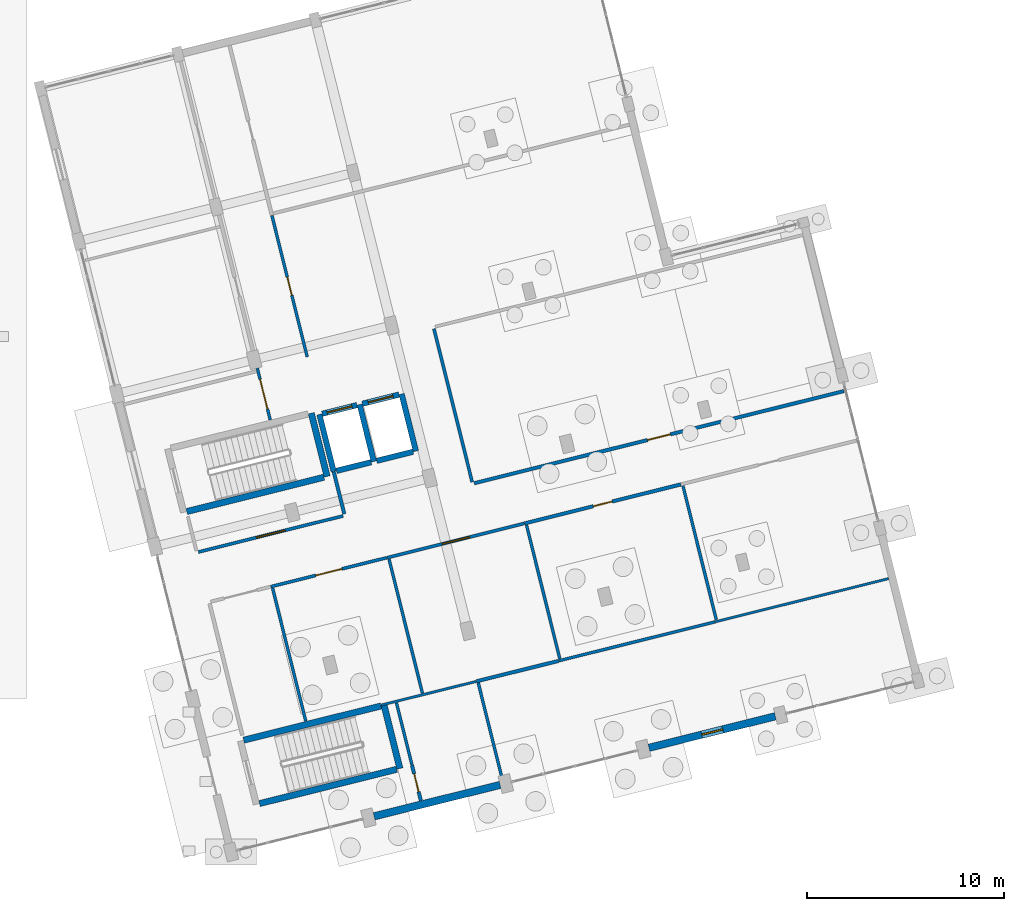
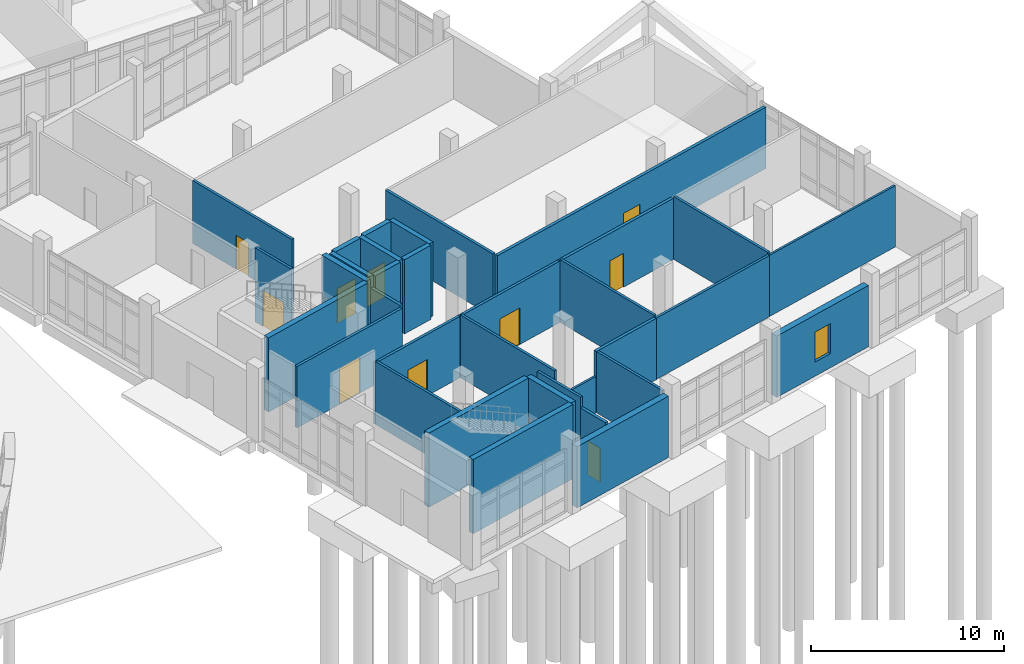
# One storey, part 158 of 173: 34 walls, 10 doors, 1 window, 11 openings.
"""IFC4 building model written with IfcOpenShell, lengths in metres."""

from ifc_helpers import new_model, si_unit, direction, frame, frame_2d, origin, place, context, subcontext, project, spatial, rectangle, extrude, material, layer, layer_set, type_object, element, fill, save


model = new_model("IFC4")

# Units and contexts
model_context = context("Model", 3, precision=1e-05, world=origin(), true_north=direction((0.0, 1.0)))
body_context = subcontext(model_context, "Body", "Model", "MODEL_VIEW")
ifc_project = project(units=[si_unit("LENGTHUNIT", "METRE"), si_unit("AREAUNIT", "SQUARE_METRE"), si_unit("VOLUMEUNIT", "CUBIC_METRE"), si_unit("PLANEANGLEUNIT", "RADIAN"), si_unit("MASSUNIT", "GRAM", prefix="KILO")], contexts=[model_context])

# Site, building, storey
site_placement = place(None, origin())
site = spatial("IfcSite", under=ifc_project, at=site_placement, CompositionType="ELEMENT")
building_placement = place(site_placement, origin())
building = spatial("IfcBuilding", under=site, at=building_placement, Name="Mawjan Specialist Oncology Clinic", CompositionType="ELEMENT")
storey_placement = place(building_placement, origin())
storey = spatial("IfcBuildingStorey", under=building, at=storey_placement, Name="L00", CompositionType="ELEMENT", Elevation=0.0)

# Wall, opening, window
ifc_material_1 = material(Name="Precast concrete C40/50", Category="concrete")
ifc_layer_1 = layer(ifc_material_1, 0.3798828125, Name="Precast concrete C40/50", Category="concrete")
ifc_layer_set_1 = layer_set([ifc_layer_1], Name="Precast concrete C40/50")
wall_type_1 = type_object("IfcWallType", Name="EW-380", PredefinedType="SOLIDWALL", material=ifc_layer_set_1)
wall_1_placement = place(storey_placement, frame((153.677734375, 7.700927734375, 0.0), z_axis=(0.0, 0.0, 1.0), x_axis=(-0.970294050816, -0.241928615405, 0.0)))
wall_1 = element("IfcWall", 1, at=wall_1_placement, inside=storey, type_object=wall_type_1, Name="L00 Coral-Limestone Exterior Wall EW-L00-066", PredefinedType="SOLIDWALL", context=body_context, shape_type="SweptSolid", body=[
    extrude(rectangle(XDim=6.625, YDim=0.3798828125, at=frame_2d((3.3125, 0.0))), origin(), (0.0, 0.0, 1.0), 3.885009765625),
])
opening_1_placement = place(wall_1_placement, frame((2.762451171875, 0.0, 0.89990234375)))
opening_1 = element("IfcOpeningElement", 2, at=opening_1_placement, cuts=wall_1, Name="Opening WN-08", PredefinedType="OPENING", context=body_context, shape_type="SweptSolid", body=[
    extrude(rectangle(XDim=1.10009765625, YDim=1.89990234375, at=frame_2d((0.550048828125, 0.949951171875))), frame((0.0, 0.201904296875, 0.0), z_axis=(0.0, -1.0, 0.0), x_axis=(1.0, 0.0, 0.0)), (0.0, 0.0, 1.0), 0.40380859375),
])
ifc_material_2 = material(Name="Thermally broken low-E clinical aluminium window", Category="aluminium")
window_type = type_object("IfcWindowType", Name="WN-08", PartitioningType="SINGLE_PANEL", PredefinedType="WINDOW", material=ifc_material_2)
window_placement = place(opening_1_placement, origin())
window = element("IfcWindow", 3, at=window_placement, inside=storey, type_object=window_type, Name="L00 Clinical Low-E Window 008", OverallHeight=1.89990234375, OverallWidth=1.10009765625, PartitioningType="SINGLE_PANEL", PredefinedType="WINDOW", context=body_context, shape_type="SweptSolid", body=[
    extrude(rectangle(XDim=1.10009765625, YDim=1.89990234375, at=frame_2d((0.550048828125, 0.949951171875))), frame((0.0, 0.030029296875, 0.0), z_axis=(0.0, -1.0, 0.0), x_axis=(1.0, 0.0, 0.0)), (0.0, 0.0, 1.0), 0.06005859375),
])
fill(opening_1, window)

# Walls
wall_2_placement = place(storey_placement, frame((139.68115234375, 4.211181640625, 0.0), z_axis=(0.0, 0.0, 1.0), x_axis=(-0.970296792907, -0.241917617537, 0.0)))
element("IfcWall", 4, at=wall_2_placement, inside=storey, type_object=wall_type_1, Name="L00 Coral-Limestone Exterior Wall EW-L00-067", PredefinedType="SOLIDWALL", context=body_context, shape_type="SweptSolid", body=[
    extrude(rectangle(XDim=6.60009765625, YDim=0.3798828125, at=frame_2d((3.300048828125, 0.0))), origin(), (0.0, 0.0, 1.0), 3.885009765625),
])
ifc_material_3 = material(Name="Concrete C45/55", Category="concrete")
ifc_layer_2 = layer(ifc_material_3, 0.280029296875, Name="Concrete C45/55", Category="concrete")
ifc_layer_set_2 = layer_set([ifc_layer_2], Name="Concrete C45/55")
wall_type_2 = type_object("IfcWallType", Name="SW-300", PredefinedType="SHEAR", material=ifc_layer_set_2)
wall_3_placement = place(storey_placement, frame((131.36328125, 20.17578125, 0.0), z_axis=(0.0, 0.0, 1.0), x_axis=(0.970284587517, 0.241966566341, 0.0)))
element("IfcWall", 5, at=wall_3_placement, inside=storey, type_object=wall_type_2, Name="L00 LF-01 Hoistway Wall 1", PredefinedType="SHEAR", context=body_context, shape_type="SweptSolid", body=[
    extrude(rectangle(XDim=1.817138671875, YDim=0.280029296875, at=frame_2d((0.90869140625, 0.0))), origin(), (0.0, 0.0, 1.0), 4.699951171875),
])
wall_4_placement = place(storey_placement, frame((133.26708984375, 20.650634765625, 0.0), z_axis=(0.0, 0.0, 1.0), x_axis=(-0.241921647353, 0.970295788171, 0.0)))
element("IfcWall", 6, at=wall_4_placement, inside=storey, type_object=wall_type_2, Name="L00 LF-01 Hoistway Wall 2", PredefinedType="SHEAR", context=body_context, shape_type="SweptSolid", body=[
    extrude(rectangle(XDim=2.994140625, YDim=0.280029296875, at=frame_2d((1.4970703125, 0.0))), origin(), (0.0, 0.0, 1.0), 4.699951171875),
])

# Wall, opening, door
wall_5_placement = place(storey_placement, frame((132.402099609375, 23.52099609375, 0.0), z_axis=(0.0, 0.0, 1.0), x_axis=(-0.970284587517, -0.241966566341, 0.0)))
wall_5 = element("IfcWall", 7, at=wall_5_placement, inside=storey, type_object=wall_type_2, Name="L00 LF-01 Hoistway Wall 3", PredefinedType="SHEAR", context=body_context, shape_type="SweptSolid", body=[
    extrude(rectangle(XDim=1.817138671875, YDim=0.280029296875, at=frame_2d((0.90869140625, 0.0))), origin(), (0.0, 0.0, 1.0), 4.699951171875),
])
opening_2_placement = place(wall_5_placement, frame((0.258544921875, 0.0, 0.0)))
opening_2 = element("IfcOpeningElement", 8, at=opening_2_placement, cuts=wall_5, Name="Opening LD-01-L00", PredefinedType="OPENING", context=body_context, shape_type="SweptSolid", body=[
    extrude(rectangle(XDim=1.300048828125, YDim=2.199951171875, at=frame_2d((0.64990234375, 1.10009765625))), frame((0.0, 0.152099609375, 0.0), z_axis=(0.0, -1.0, 0.0), x_axis=(1.0, 0.0, 0.0)), (0.0, 0.0, 1.0), 0.303955078125),
])
ifc_material_4 = material(Name="Stainless-steel fire-rated hospital door", Category="steel")
door_type_1 = type_object("IfcDoorType", Name="LD-130", OperationType="SLIDING_TO_LEFT", PredefinedType="DOOR", material=ifc_material_4)
door_1_placement = place(opening_2_placement, origin())
door_1 = element("IfcDoor", 9, at=door_1_placement, inside=storey, type_object=door_type_1, Name="L00 LF-01 Sliding Lift Landing Door", OperationType="SLIDING_TO_LEFT", OverallHeight=2.199951171875, OverallWidth=1.300048828125, PredefinedType="DOOR", context=body_context, shape_type="SweptSolid", body=[
    extrude(rectangle(XDim=1.300048828125, YDim=2.199951171875, at=frame_2d((0.64990234375, 1.10009765625))), frame((0.0, 0.02490234375, 0.0), z_axis=(0.0, -1.0, 0.0), x_axis=(1.0, 0.0, 0.0)), (0.0, 0.0, 1.0), 0.050048828125),
])
fill(opening_2, door_1)

# Walls
wall_6_placement = place(storey_placement, frame((130.498291015625, 23.046142578125, 0.0), z_axis=(0.0, 0.0, 1.0), x_axis=(0.241921647353, -0.970295788171, 0.0)))
element("IfcWall", 10, at=wall_6_placement, inside=storey, type_object=wall_type_2, Name="L00 LF-01 Hoistway Wall 4", PredefinedType="SHEAR", context=body_context, shape_type="SweptSolid", body=[
    extrude(rectangle(XDim=2.994140625, YDim=0.280029296875, at=frame_2d((1.4970703125, 0.0))), origin(), (0.0, 0.0, 1.0), 4.699951171875),
])
wall_7_placement = place(storey_placement, frame((133.407958984375, 20.685546875, 0.0), z_axis=(0.0, 0.0, 1.0), x_axis=(0.970285190026, 0.241964150272, 0.0)))
element("IfcWall", 11, at=wall_7_placement, inside=storey, type_object=wall_type_2, Name="L00 LF-02 Hoistway Wall 1", PredefinedType="SHEAR", context=body_context, shape_type="SweptSolid", body=[
    extrude(rectangle(XDim=1.909912109375, YDim=0.280029296875, at=frame_2d((0.955078125, 0.0))), origin(), (0.0, 0.0, 1.0), 4.699951171875),
])
wall_8_placement = place(storey_placement, frame((135.40185546875, 21.182861328125, 0.0), z_axis=(0.0, 0.0, 1.0), x_axis=(-0.241921647353, 0.970295788171, 0.0)))
element("IfcWall", 12, at=wall_8_placement, inside=storey, type_object=wall_type_2, Name="L00 LF-02 Hoistway Wall 2", PredefinedType="SHEAR", context=body_context, shape_type="SweptSolid", body=[
    extrude(rectangle(XDim=2.994140625, YDim=0.280029296875, at=frame_2d((1.4970703125, 0.0))), origin(), (0.0, 0.0, 1.0), 4.699951171875),
])

# Wall, opening, door
wall_9_placement = place(storey_placement, frame((134.53662109375, 24.05322265625, 0.0), z_axis=(0.0, 0.0, 1.0), x_axis=(-0.970285190026, -0.241964150272, 0.0)))
wall_9 = element("IfcWall", 13, at=wall_9_placement, inside=storey, type_object=wall_type_2, Name="L00 LF-02 Hoistway Wall 3", PredefinedType="SHEAR", context=body_context, shape_type="SweptSolid", body=[
    extrude(rectangle(XDim=1.909912109375, YDim=0.280029296875, at=frame_2d((0.955078125, 0.0))), origin(), (0.0, 0.0, 1.0), 4.699951171875),
])
opening_3_placement = place(wall_9_placement, frame((0.304931640625, 0.0, 0.0)))
opening_3 = element("IfcOpeningElement", 14, at=opening_3_placement, cuts=wall_9, Name="Opening LD-02-L00", PredefinedType="OPENING", context=body_context, shape_type="SweptSolid", body=[
    extrude(rectangle(XDim=1.300048828125, YDim=2.199951171875, at=frame_2d((0.64990234375, 1.10009765625))), frame((0.0, 0.152099609375, 0.0), z_axis=(0.0, -1.0, 0.0), x_axis=(1.0, 0.0, 0.0)), (0.0, 0.0, 1.0), 0.303955078125),
])
door_2_placement = place(opening_3_placement, origin())
door_2 = element("IfcDoor", 15, at=door_2_placement, inside=storey, type_object=door_type_1, Name="L00 LF-02 Sliding Lift Landing Door", OperationType="SLIDING_TO_RIGHT", OverallHeight=2.199951171875, OverallWidth=1.300048828125, PredefinedType="DOOR", context=body_context, shape_type="SweptSolid", body=[
    extrude(rectangle(XDim=1.300048828125, YDim=2.199951171875, at=frame_2d((0.64990234375, 1.10009765625))), frame((0.0, 0.02490234375, 0.0), z_axis=(0.0, -1.0, 0.0), x_axis=(1.0, 0.0, 0.0)), (0.0, 0.0, 1.0), 0.050048828125),
])
fill(opening_3, door_2)

# Walls
ifc_material_5 = material(Name="Concrete C45/55", Category="concrete")
ifc_layer_3 = layer(ifc_material_5, 0.320068359375, Name="Concrete C45/55", Category="concrete")
ifc_layer_set_3 = layer_set([ifc_layer_3], Name="Concrete C45/55")
wall_type_3 = type_object("IfcWallType", Name="SW-350", PredefinedType="SHEAR", material=ifc_layer_set_3)
wall_10_placement = place(storey_placement, frame((123.75048828125, 18.10986328125, 0.0), z_axis=(0.0, 0.0, 1.0), x_axis=(0.970294108333, 0.241928384724, 0.0)))
element("IfcWall", 16, at=wall_10_placement, inside=storey, type_object=wall_type_3, Name="L00 Core K5 Stair Shear Wall 1", PredefinedType="SHEAR", context=body_context, shape_type="SweptSolid", body=[
    extrude(rectangle(XDim=7.190185546875, YDim=0.320068359375, at=frame_2d((3.59521484375, 0.0))), origin(), (0.0, 0.0, 1.0), 4.699951171875),
])
wall_11_placement = place(storey_placement, frame((130.886962890625, 19.889404296875, 0.0), z_axis=(0.0, 0.0, 1.0), x_axis=(-0.241947258837, 0.970289402158, 0.0)))
element("IfcWall", 17, at=wall_11_placement, inside=storey, type_object=wall_type_3, Name="L00 Core K5 Stair Shear Wall 2", PredefinedType="SHEAR", context=body_context, shape_type="SweptSolid", body=[
    extrude(rectangle(XDim=3.31982421875, YDim=0.320068359375, at=frame_2d((1.659912109375, 0.0))), origin(), (0.0, 0.0, 1.0), 4.699951171875),
])
wall_12_placement = place(storey_placement, frame((127.451904296875, 3.264404296875, 0.0), z_axis=(0.0, 0.0, 1.0), x_axis=(0.970294108333, 0.241928384724, 0.0)))
element("IfcWall", 18, at=wall_12_placement, inside=storey, type_object=wall_type_3, Name="L00 Core K6 Stair Shear Wall 1", PredefinedType="SHEAR", context=body_context, shape_type="SweptSolid", body=[
    extrude(rectangle(XDim=7.190185546875, YDim=0.320068359375, at=frame_2d((3.59521484375, 0.0))), origin(), (0.0, 0.0, 1.0), 4.699951171875),
])
wall_13_placement = place(storey_placement, frame((134.58837890625, 5.043701171875, 0.0), z_axis=(0.0, 0.0, 1.0), x_axis=(-0.241929995817, 0.970293706629, 0.0)))
element("IfcWall", 19, at=wall_13_placement, inside=storey, type_object=wall_type_3, Name="L00 Core K6 Stair Shear Wall 2", PredefinedType="SHEAR", context=body_context, shape_type="SweptSolid", body=[
    extrude(rectangle(XDim=3.320068359375, YDim=0.320068359375, at=frame_2d((1.66015625, 0.0))), origin(), (0.0, 0.0, 1.0), 4.699951171875),
])
wall_14_placement = place(storey_placement, frame((133.625244140625, 8.225341796875, 0.0), z_axis=(0.0, 0.0, 1.0), x_axis=(-0.970294108333, -0.241928384724, 0.0)))
element("IfcWall", 20, at=wall_14_placement, inside=storey, type_object=wall_type_3, Name="L00 Core K6 Stair Shear Wall 3", PredefinedType="SHEAR", context=body_context, shape_type="SweptSolid", body=[
    extrude(rectangle(XDim=7.190185546875, YDim=0.320068359375, at=frame_2d((3.59521484375, 0.0))), origin(), (0.0, 0.0, 1.0), 4.699951171875),
])
ifc_material_6 = material(Name="Moisture-resistant washroom partition", Category="gypsum")
ifc_layer_4 = layer(ifc_material_6, 0.125, Name="Moisture-resistant washroom partition", Category="gypsum")
ifc_layer_set_4 = layer_set([ifc_layer_4], Name="Moisture-resistant washroom partition")
wall_type_4 = type_object("IfcWallType", Name="WP-125", PredefinedType="PARTITIONING", material=ifc_layer_set_4)
wall_15_placement = place(storey_placement, frame((133.627197265625, 8.26708984375, 0.0), z_axis=(0.0, 0.0, 1.0), x_axis=(0.970303519327, 0.241890637233, 0.0)))
element("IfcWall", 21, at=wall_15_placement, inside=storey, type_object=wall_type_4, Name="L00 Interior Partition W-RINT-L00-RSE-N", PredefinedType="PARTITIONING", context=body_context, shape_type="SweptSolid", body=[
    extrude(rectangle(XDim=4.988037109375, YDim=0.125, at=frame_2d((2.494140625, 0.0))), origin(), (0.0, 0.0, 1.0), 2.300048828125),
])
wall_16_placement = place(storey_placement, frame((150.626708984375, 12.50537109375, 0.0), z_axis=(0.0, 0.0, 1.0), x_axis=(0.970292717865, 0.241933961357, 0.0)))
element("IfcWall", 22, at=wall_16_placement, inside=storey, type_object=wall_type_4, Name="L00 Interior Partition W-RINT-L00-RDS5-S", PredefinedType="PARTITIONING", context=body_context, shape_type="SweptSolid", body=[
    extrude(rectangle(XDim=9.071044921875, YDim=0.125, at=frame_2d((4.53564453125, 0.0))), origin(), (0.0, 0.0, 1.0), 3.885009765625),
])

# Wall, opening, door
ifc_material_7 = material(Name="Acoustic gypsum clinical partition", Category="gypsum")
ifc_layer_5 = layer(ifc_material_7, 0.14990234375, Name="Acoustic gypsum clinical partition", Category="gypsum")
ifc_layer_set_5 = layer_set([ifc_layer_5], Name="Acoustic gypsum clinical partition")
wall_type_5 = type_object("IfcWallType", Name="WP-150", PredefinedType="PARTITIONING", material=ifc_layer_set_5)
wall_17_placement = place(storey_placement, frame((127.994873046875, 22.76708984375, 0.0), z_axis=(0.0, 0.0, 1.0), x_axis=(-0.241877500256, 0.9703067942, 0.0)))
wall_17 = element("IfcWall", 23, at=wall_17_placement, inside=storey, type_object=wall_type_5, Name="L00 Interior Partition W-RINT-L00-RWN-E", PredefinedType="PARTITIONING", context=body_context, shape_type="SweptSolid", body=[
    extrude(rectangle(XDim=2.7060546875, YDim=0.14990234375, at=frame_2d((1.35302734375, 0.0))), origin(), (0.0, 0.0, 1.0), 4.699951171875),
])
opening_4_placement = place(wall_17_placement, frame((0.572998046875, 0.0, 0.0)))
opening_4 = element("IfcOpeningElement", 24, at=opening_4_placement, cuts=wall_17, Name="Opening DC-156", PredefinedType="OPENING", context=body_context, shape_type="SweptSolid", body=[
    extrude(rectangle(XDim=1.56005859375, YDim=2.300048828125, at=frame_2d((0.780029296875, 1.14990234375))), frame((0.0, 0.0869140625, 0.0), z_axis=(0.0, -1.0, 0.0), x_axis=(1.0, 0.0, 0.0)), (0.0, 0.0, 1.0), 0.173828125),
])
ifc_material_8 = material(Name="Acoustic laminate hospital door leaf", Category="wood")
door_type_2 = type_object("IfcDoorType", Name="DC-156", OperationType="NOTDEFINED", PredefinedType="DOOR", material=ifc_material_8)
door_3_placement = place(opening_4_placement, origin())
door_3 = element("IfcDoor", 25, at=door_3_placement, inside=storey, type_object=door_type_2, Name="L00 Computational Oncology Laboratory Door", OperationType="SINGLE_SWING_LEFT", OverallHeight=2.300048828125, OverallWidth=1.56005859375, PredefinedType="DOOR", context=body_context, shape_type="SweptSolid", body=[
    extrude(rectangle(XDim=1.56005859375, YDim=2.300048828125, at=frame_2d((0.780029296875, 1.14990234375))), frame((0.0, 0.02490234375, 0.0), z_axis=(0.0, -1.0, 0.0), x_axis=(1.0, 0.0, 0.0)), (0.0, 0.0, 1.0), 0.050048828125),
])
fill(opening_4, door_3)

wall_18_placement = place(storey_placement, frame((129.8759765625, 25.97021484375, 0.0), z_axis=(0.0, 0.0, 1.0), x_axis=(-0.241938716353, 0.970291532236, 0.0)))
wall_18 = element("IfcWall", 26, at=wall_18_placement, inside=storey, type_object=wall_type_5, Name="L00 Interior Partition W-RINT-L00-RNE1-W", PredefinedType="PARTITIONING", context=body_context, shape_type="SweptSolid", body=[
    extrude(rectangle(XDim=7.410888671875, YDim=0.14990234375, at=frame_2d((3.70556640625, 0.0))), origin(), (0.0, 0.0, 1.0), 3.985107421875),
])
opening_5_placement = place(wall_18_placement, frame((3.23046875, 0.0, 0.0)))
opening_5 = element("IfcOpeningElement", 27, at=opening_5_placement, cuts=wall_18, Name="Opening DA-95", PredefinedType="OPENING", context=body_context, shape_type="SweptSolid", body=[
    extrude(rectangle(XDim=0.949951171875, YDim=2.14990234375, at=frame_2d((0.47509765625, 1.074951171875))), frame((0.0, 0.0869140625, 0.0), z_axis=(0.0, -1.0, 0.0), x_axis=(1.0, 0.0, 0.0)), (0.0, 0.0, 1.0), 0.173828125),
])
ifc_material_9 = material(Name="Acoustic laminate hospital door leaf", Category="wood")
door_type_3 = type_object("IfcDoorType", Name="DA-95", OperationType="NOTDEFINED", PredefinedType="DOOR", material=ifc_material_9)
door_4_placement = place(opening_5_placement, origin())
door_4 = element("IfcDoor", 28, at=door_4_placement, inside=storey, type_object=door_type_3, Name="L00 Molecular Diagnostics Wet Lab Door", OperationType="SINGLE_SWING_RIGHT", OverallHeight=2.14990234375, OverallWidth=0.949951171875, PredefinedType="DOOR", context=body_context, shape_type="SweptSolid", body=[
    extrude(rectangle(XDim=0.949951171875, YDim=2.14990234375, at=frame_2d((0.47509765625, 1.074951171875))), frame((0.0, 0.02490234375, 0.0), z_axis=(0.0, -1.0, 0.0), x_axis=(1.0, 0.0, 0.0)), (0.0, 0.0, 1.0), 0.050048828125),
])
fill(opening_5, door_4)

# Walls
wall_19_placement = place(storey_placement, frame((135.200439453125, 5.234619140625, 0.0), z_axis=(0.0, 0.0, 1.0), x_axis=(-0.241934312689, 0.970292630263, 0.0)))
element("IfcWall", 29, at=wall_19_placement, inside=storey, type_object=wall_type_5, Name="L00 Interior Partition W-RINT-L00-RSE-WB", PredefinedType="PARTITIONING", context=body_context, shape_type="SweptSolid", body=[
    extrude(rectangle(XDim=3.248291015625, YDim=0.14990234375, at=frame_2d((1.6240234375, 0.0))), origin(), (0.0, 0.0, 1.0), 4.699951171875),
])
wall_20_placement = place(storey_placement, frame((139.765869140625, 4.615478515625, 0.0), z_axis=(0.0, 0.0, 1.0), x_axis=(-0.241908041606, 0.970299180359, 0.0)))
element("IfcWall", 30, at=wall_20_placement, inside=storey, type_object=wall_type_5, Name="L00 Interior Partition W-RINT-L00-RSE-E", PredefinedType="PARTITIONING", context=body_context, shape_type="SweptSolid", body=[
    extrude(rectangle(XDim=4.943115234375, YDim=0.14990234375, at=frame_2d((2.4716796875, 0.0))), origin(), (0.0, 0.0, 1.0), 3.885009765625),
])
wall_21_placement = place(storey_placement, frame((129.80419921875, 7.449951171875, 0.0), z_axis=(0.0, 0.0, 1.0), x_axis=(-0.241901504068, 0.970300810228, 0.0)))
element("IfcWall", 31, at=wall_21_placement, inside=storey, type_object=wall_type_5, Name="L00 Interior Partition W-RINT-L00-RAS1-E", PredefinedType="PARTITIONING", context=body_context, shape_type="SweptSolid", body=[
    extrude(rectangle(XDim=6.97607421875, YDim=0.14990234375, at=frame_2d((3.488037109375, 0.0))), origin(), (0.0, 0.0, 1.0), 3.985107421875),
])
wall_22_placement = place(storey_placement, frame((135.737060546875, 8.869873046875, 0.0), z_axis=(0.0, 0.0, 1.0), x_axis=(-0.241939357675, 0.970291372325, 0.0)))
element("IfcWall", 32, at=wall_22_placement, inside=storey, type_object=wall_type_5, Name="L00 Interior Partition W-RINT-L00-RAS2-E", PredefinedType="PARTITIONING", context=body_context, shape_type="SweptSolid", body=[
    extrude(rectangle(XDim=7.033447265625, YDim=0.14990234375, at=frame_2d((3.5166015625, 0.0))), origin(), (0.0, 0.0, 1.0), 3.985107421875),
])
wall_23_placement = place(storey_placement, frame((142.720458984375, 10.621826171875, 0.0), z_axis=(0.0, 0.0, 1.0), x_axis=(-0.241913043167, 0.970297933393, 0.0)))
element("IfcWall", 33, at=wall_23_placement, inside=storey, type_object=wall_type_5, Name="L00 Interior Partition W-RINT-L00-RBS3-E", PredefinedType="PARTITIONING", context=body_context, shape_type="SweptSolid", body=[
    extrude(rectangle(XDim=7.012939453125, YDim=0.14990234375, at=frame_2d((3.50634765625, 0.0))), origin(), (0.0, 0.0, 1.0), 3.985107421875),
])
wall_24_placement = place(storey_placement, frame((142.67041015625, 10.521728515625, 0.0), z_axis=(0.0, 0.0, 1.0), x_axis=(0.970298403727, 0.241911156677, 0.0)))
element("IfcWall", 34, at=wall_24_placement, inside=storey, type_object=wall_type_5, Name="L00 Interior Partition W-RINT-L00-RCS4-S", PredefinedType="PARTITIONING", context=body_context, shape_type="SweptSolid", body=[
    extrude(rectangle(XDim=8.187744140625, YDim=0.14990234375, at=frame_2d((4.09375, 0.0))), origin(), (0.0, 0.0, 1.0), 3.885009765625),
])
wall_25_placement = place(storey_placement, frame((150.677001953125, 12.60546875, 0.0), z_axis=(0.0, 0.0, 1.0), x_axis=(-0.241913935588, 0.970297710895, 0.0)))
element("IfcWall", 35, at=wall_25_placement, inside=storey, type_object=wall_type_5, Name="L00 Interior Partition W-RINT-L00-RCS4-E", PredefinedType="PARTITIONING", context=body_context, shape_type="SweptSolid", body=[
    extrude(rectangle(XDim=7.02294921875, YDim=0.14990234375, at=frame_2d((3.511474609375, 0.0))), origin(), (0.0, 0.0, 1.0), 3.985107421875),
])

# Wall, opening, door
ifc_material_10 = material(Name="Acoustic clinical twin-stud partition", Category="gypsum")
ifc_layer_6 = layer(ifc_material_10, 0.159912109375, Name="Acoustic clinical twin-stud partition", Category="gypsum")
ifc_layer_set_6 = layer_set([ifc_layer_6], Name="Acoustic clinical twin-stud partition")
wall_type_6 = type_object("IfcWallType", Name="WP-160", PredefinedType="PARTITIONING", material=ifc_layer_set_6)
wall_26_placement = place(storey_placement, frame((124.345947265625, 16.052978515625, 0.0), z_axis=(0.0, 0.0, 1.0), x_axis=(0.970295772287, 0.241921711059, 0.0)))
wall_26 = element("IfcWall", 36, at=wall_26_placement, inside=storey, type_object=wall_type_6, Name="L00 Interior Partition W-RINT-L00-RKS-S", PredefinedType="PARTITIONING", context=body_context, shape_type="SweptSolid", body=[
    extrude(rectangle(XDim=7.579833984375, YDim=0.159912109375, at=frame_2d((3.7900390625, 0.0))), origin(), (0.0, 0.0, 1.0), 3.885009765625),
])
opening_6_placement = place(wall_26_placement, frame((3.0400390625, 0.0, 0.0)))
opening_6 = element("IfcOpeningElement", 37, at=opening_6_placement, cuts=wall_26, Name="Opening DC-150", PredefinedType="OPENING", context=body_context, shape_type="SweptSolid", body=[
    extrude(rectangle(XDim=1.5, YDim=2.280029296875, at=frame_2d((0.75, 1.14013671875))), frame((0.0, 0.092041015625, 0.0), z_axis=(0.0, -1.0, 0.0), x_axis=(1.0, 0.0, 0.0)), (0.0, 0.0, 1.0), 0.183837890625),
])
ifc_material_11 = material(Name="Acoustic laminate hospital door leaf", Category="wood")
door_type_4 = type_object("IfcDoorType", Name="DC-150", OperationType="NOTDEFINED", PredefinedType="DOOR", material=ifc_material_11)
door_5_placement = place(opening_6_placement, origin())
door_5 = element("IfcDoor", 38, at=door_5_placement, inside=storey, type_object=door_type_4, Name="L00 Research Clean Supply Room Door", OperationType="SINGLE_SWING_LEFT", OverallHeight=2.280029296875, OverallWidth=1.5, PredefinedType="DOOR", context=body_context, shape_type="SweptSolid", body=[
    extrude(rectangle(XDim=1.5, YDim=2.280029296875, at=frame_2d((0.75, 1.14013671875))), frame((0.0, 0.02490234375, 0.0), z_axis=(0.0, -1.0, 0.0), x_axis=(1.0, 0.0, 0.0)), (0.0, 0.0, 1.0), 0.050048828125),
])
fill(opening_6, door_5)

wall_27_placement = place(storey_placement, frame((128.0234375, 14.290283203125, 0.0), z_axis=(0.0, 0.0, 1.0), x_axis=(0.970293282145, 0.241931698263, 0.0)))
wall_27 = element("IfcWall", 39, at=wall_27_placement, inside=storey, type_object=wall_type_6, Name="L00 Interior Partition W-RINT-L00-RAS2-N", PredefinedType="PARTITIONING", context=body_context, shape_type="SweptSolid", body=[
    extrude(rectangle(XDim=6.088134765625, YDim=0.159912109375, at=frame_2d((3.0439453125, 0.0))), origin(), (0.0, 0.0, 1.0), 3.885009765625),
])
opening_7_placement = place(wall_27_placement, frame((2.35400390625, 0.0, 0.0)))
opening_7 = element("IfcOpeningElement", 40, at=opening_7_placement, cuts=wall_27, Name="Opening DM-MRI", PredefinedType="OPENING", context=body_context, shape_type="SweptSolid", body=[
    extrude(rectangle(XDim=1.3798828125, YDim=2.300048828125, at=frame_2d((0.68994140625, 1.14990234375))), frame((0.0, 0.092041015625, 0.0), z_axis=(0.0, -1.0, 0.0), x_axis=(1.0, 0.0, 0.0)), (0.0, 0.0, 1.0), 0.183837890625),
])
ifc_material_12 = material(Name="Acoustic laminate hospital door leaf", Category="wood")
door_type_5 = type_object("IfcDoorType", Name="DM-MRI", OperationType="NOTDEFINED", PredefinedType="DOOR", material=ifc_material_12)
door_6_placement = place(opening_7_placement, origin())
door_6 = element("IfcDoor", 41, at=door_6_placement, inside=storey, type_object=door_type_5, Name="L00 Symposium Auditorium Door", OperationType="SINGLE_SWING_RIGHT", OverallHeight=2.300048828125, OverallWidth=1.3798828125, PredefinedType="DOOR", context=body_context, shape_type="SweptSolid", body=[
    extrude(rectangle(XDim=1.3798828125, YDim=2.300048828125, at=frame_2d((0.68994140625, 1.14990234375))), frame((0.0, 0.02490234375, 0.0), z_axis=(0.0, -1.0, 0.0), x_axis=(1.0, 0.0, 0.0)), (0.0, 0.0, 1.0), 0.050048828125),
])
fill(opening_7, door_6)

wall_28_placement = place(storey_placement, frame((133.9423828125, 15.765869140625, 0.0), z_axis=(0.0, 0.0, 1.0), x_axis=(0.970292162734, 0.241936187739, 0.0)))
wall_28 = element("IfcWall", 42, at=wall_28_placement, inside=storey, type_object=wall_type_6, Name="L00 Interior Partition W-RINT-L00-RBS3-N", PredefinedType="PARTITIONING", context=body_context, shape_type="SweptSolid", body=[
    extrude(rectangle(XDim=7.18798828125, YDim=0.159912109375, at=frame_2d((3.593994140625, 0.0))), origin(), (0.0, 0.0, 1.0), 3.885009765625),
])
opening_8_placement = place(wall_28_placement, frame((2.8740234375, 0.0, 0.0)))
opening_8 = element("IfcOpeningElement", 43, at=opening_8_placement, cuts=wall_28, Name="Opening DM-CT", PredefinedType="OPENING", context=body_context, shape_type="SweptSolid", body=[
    extrude(rectangle(XDim=1.43994140625, YDim=2.320068359375, at=frame_2d((0.719970703125, 1.16015625))), frame((0.0, 0.092041015625, 0.0), z_axis=(0.0, -1.0, 0.0), x_axis=(1.0, 0.0, 0.0)), (0.0, 0.0, 1.0), 0.183837890625),
])
ifc_material_13 = material(Name="Acoustic laminate hospital door leaf", Category="wood")
door_type_6 = type_object("IfcDoorType", Name="DM-CT", OperationType="NOTDEFINED", PredefinedType="DOOR", material=ifc_material_13)
door_7_placement = place(opening_8_placement, origin())
door_7 = element("IfcDoor", 44, at=door_7_placement, inside=storey, type_object=door_type_6, Name="L00 Clinical Trials Reception Door", OperationType="SINGLE_SWING_LEFT", OverallHeight=2.320068359375, OverallWidth=1.43994140625, PredefinedType="DOOR", context=body_context, shape_type="SweptSolid", body=[
    extrude(rectangle(XDim=1.43994140625, YDim=2.320068359375, at=frame_2d((0.719970703125, 1.16015625))), frame((0.0, 0.02490234375, 0.0), z_axis=(0.0, -1.0, 0.0), x_axis=(1.0, 0.0, 0.0)), (0.0, 0.0, 1.0), 0.050048828125),
])
fill(opening_8, door_7)

# Wall
wall_29_placement = place(storey_placement, frame((138.263671875, 19.610595703125, 0.0), z_axis=(0.0, 0.0, 1.0), x_axis=(-0.241920353256, 0.970296110824, 0.0)))
element("IfcWall", 45, at=wall_29_placement, inside=storey, type_object=wall_type_6, Name="L00 Interior Partition W-RINT-L00-RDE1-W", PredefinedType="PARTITIONING", context=body_context, shape_type="SweptSolid", body=[
    extrude(rectangle(XDim=8.030029296875, YDim=0.159912109375, at=frame_2d((4.01513671875, 0.0))), origin(), (0.0, 0.0, 1.0), 3.985107421875),
])

# Wall, opening, door
ifc_material_14 = material(Name="Lead-lined radiation-shielded clinical partition", Category="gypsum")
ifc_layer_7 = layer(ifc_material_14, 0.179931640625, Name="Lead-lined radiation-shielded clinical partition", Category="gypsum")
ifc_layer_set_7 = layer_set([ifc_layer_7], Name="Lead-lined radiation-shielded clinical partition")
wall_type_7 = type_object("IfcWallType", Name="WP-180", PredefinedType="PARTITIONING", material=ifc_layer_set_7)
wall_30_placement = place(storey_placement, frame((135.654052734375, 3.415283203125, 0.0), z_axis=(0.0, 0.0, 1.0), x_axis=(-0.2419188687, 0.970296480962, 0.0)))
wall_30 = element("IfcWall", 46, at=wall_30_placement, inside=storey, type_object=wall_type_7, Name="L00 Interior Partition W-RINT-L00-RSE-W", PredefinedType="PARTITIONING", context=body_context, shape_type="SweptSolid", body=[
    extrude(rectangle(XDim=1.863037109375, YDim=0.179931640625, at=frame_2d((0.931640625, 0.0))), origin(), (0.0, 0.0, 1.0), 4.034912109375),
])
opening_9_placement = place(wall_30_placement, frame((0.45654296875, 0.0, 0.0)))
opening_9 = element("IfcOpeningElement", 47, at=opening_9_placement, cuts=wall_30, Name="Opening DA-95", PredefinedType="OPENING", context=body_context, shape_type="SweptSolid", body=[
    extrude(rectangle(XDim=0.949951171875, YDim=2.14990234375, at=frame_2d((0.47509765625, 1.074951171875))), frame((0.0, 0.10205078125, 0.0), z_axis=(0.0, -1.0, 0.0), x_axis=(1.0, 0.0, 0.0)), (0.0, 0.0, 1.0), 0.203857421875),
])
door_8_placement = place(opening_9_placement, origin())
door_8 = element("IfcDoor", 48, at=door_8_placement, inside=storey, type_object=door_type_3, Name="L00 Clinical Protocol Review Office Door", OperationType="SINGLE_SWING_LEFT", OverallHeight=2.14990234375, OverallWidth=0.949951171875, PredefinedType="DOOR", context=body_context, shape_type="SweptSolid", body=[
    extrude(rectangle(XDim=0.949951171875, YDim=2.14990234375, at=frame_2d((0.47509765625, 1.074951171875))), frame((0.0, 0.02490234375, 0.0), z_axis=(0.0, -1.0, 0.0), x_axis=(1.0, 0.0, 0.0)), (0.0, 0.0, 1.0), 0.050048828125),
])
fill(opening_9, door_8)

wall_31_placement = place(storey_placement, frame((140.928466796875, 17.5078125, 0.0), z_axis=(0.0, 0.0, 1.0), x_axis=(0.970293149657, 0.241932229621, 0.0)))
wall_31 = element("IfcWall", 49, at=wall_31_placement, inside=storey, type_object=wall_type_7, Name="L00 Interior Partition W-RINT-L00-RCS4-N", PredefinedType="PARTITIONING", context=body_context, shape_type="SweptSolid", body=[
    extrude(rectangle(XDim=8.18798828125, YDim=0.179931640625, at=frame_2d((4.093994140625, 0.0))), origin(), (0.0, 0.0, 1.0), 3.885009765625),
])
opening_10_placement = place(wall_31_placement, frame((3.593994140625, 0.0, 0.0)))
opening_10 = element("IfcOpeningElement", 50, at=opening_10_placement, cuts=wall_31, Name="Opening DI-100", PredefinedType="OPENING", context=body_context, shape_type="SweptSolid", body=[
    extrude(rectangle(XDim=1.0, YDim=2.14990234375, at=frame_2d((0.5, 1.074951171875))), frame((0.0, 0.10205078125, 0.0), z_axis=(0.0, -1.0, 0.0), x_axis=(1.0, 0.0, 0.0)), (0.0, 0.0, 1.0), 0.203857421875),
])
ifc_material_15 = material(Name="Acoustic laminate hospital door leaf", Category="wood")
door_type_7 = type_object("IfcDoorType", Name="DI-100", OperationType="NOTDEFINED", PredefinedType="DOOR", material=ifc_material_15)
door_9_placement = place(opening_10_placement, origin())
door_9 = element("IfcDoor", 51, at=door_9_placement, inside=storey, type_object=door_type_7, Name="L00 Specimen Biobank Laboratory Door", OperationType="SINGLE_SWING_LEFT", OverallHeight=2.14990234375, OverallWidth=1.0, PredefinedType="DOOR", context=body_context, shape_type="SweptSolid", body=[
    extrude(rectangle(XDim=1.0, YDim=2.14990234375, at=frame_2d((0.5, 1.074951171875))), frame((0.0, 0.02490234375, 0.0), z_axis=(0.0, -1.0, 0.0), x_axis=(1.0, 0.0, 0.0)), (0.0, 0.0, 1.0), 0.050048828125),
])
fill(opening_10, door_9)

wall_32_placement = place(storey_placement, frame((138.36669921875, 19.548583984375, 0.0), z_axis=(0.0, 0.0, 1.0), x_axis=(0.970295834183, 0.241921462809, 0.0)))
wall_32 = element("IfcWall", 52, at=wall_32_placement, inside=storey, type_object=wall_type_7, Name="L00 Interior Partition W-RINT-L00-RDE1-S", PredefinedType="PARTITIONING", context=body_context, shape_type="SweptSolid", body=[
    extrude(rectangle(XDim=19.363037109375, YDim=0.179931640625, at=frame_2d((9.681640625, 0.0))), origin(), (0.0, 0.0, 1.0), 3.885009765625),
])
opening_11_placement = place(wall_32_placement, frame((9.08154296875, 0.0, 0.0)))
opening_11 = element("IfcOpeningElement", 53, at=opening_11_placement, cuts=wall_32, Name="Opening DC-120", PredefinedType="OPENING", context=body_context, shape_type="SweptSolid", body=[
    extrude(rectangle(XDim=1.199951171875, YDim=2.14990234375, at=frame_2d((0.60009765625, 1.074951171875))), frame((0.0, 0.10205078125, 0.0), z_axis=(0.0, -1.0, 0.0), x_axis=(1.0, 0.0, 0.0)), (0.0, 0.0, 1.0), 0.203857421875),
])
ifc_material_16 = material(Name="Acoustic laminate hospital door leaf", Category="wood")
door_type_8 = type_object("IfcDoorType", Name="DC-120", OperationType="NOTDEFINED", PredefinedType="DOOR", material=ifc_material_16)
door_10_placement = place(opening_11_placement, origin())
door_10 = element("IfcDoor", 54, at=door_10_placement, inside=storey, type_object=door_type_8, Name="L00 East Seminar Teaching Room Door", OperationType="SINGLE_SWING_RIGHT", OverallHeight=2.14990234375, OverallWidth=1.199951171875, PredefinedType="DOOR", context=body_context, shape_type="SweptSolid", body=[
    extrude(rectangle(XDim=1.199951171875, YDim=2.14990234375, at=frame_2d((0.60009765625, 1.074951171875))), frame((0.0, 0.02490234375, 0.0), z_axis=(0.0, -1.0, 0.0), x_axis=(1.0, 0.0, 0.0)), (0.0, 0.0, 1.0), 0.050048828125),
])
fill(opening_11, door_10)

# Walls
wall_33_placement = place(storey_placement, frame((131.7626953125, 17.98974609375, 0.0), z_axis=(0.0, 0.0, 1.0), x_axis=(-0.241962612769, 0.970285573438, 0.0)))
element("IfcWall", 55, at=wall_33_placement, inside=storey, type_object=wall_type_7, Name="L00 Interior Partition W-RINT-L00-RKS-E", PredefinedType="PARTITIONING", context=body_context, shape_type="SweptSolid", body=[
    extrude(rectangle(XDim=2.20556640625, YDim=0.179931640625, at=frame_2d((1.102783203125, 0.0))), origin(), (0.0, 0.0, 1.0), 3.985107421875),
])
wall_34_placement = place(storey_placement, frame((138.478515625, 9.4765625, 0.0), z_axis=(0.0, 0.0, 1.0), x_axis=(0.970295647322, 0.241922212266, 0.0)))
element("IfcWall", 56, at=wall_34_placement, inside=storey, type_object=wall_type_7, Name="L00 Interior Partition W-RINT-L00-RBS3-S", PredefinedType="PARTITIONING", context=body_context, shape_type="SweptSolid", body=[
    extrude(rectangle(XDim=4.30810546875, YDim=0.179931640625, at=frame_2d((2.154052734375, 0.0))), origin(), (0.0, 0.0, 1.0), 3.885009765625),
])

save(model, "model.ifc")
